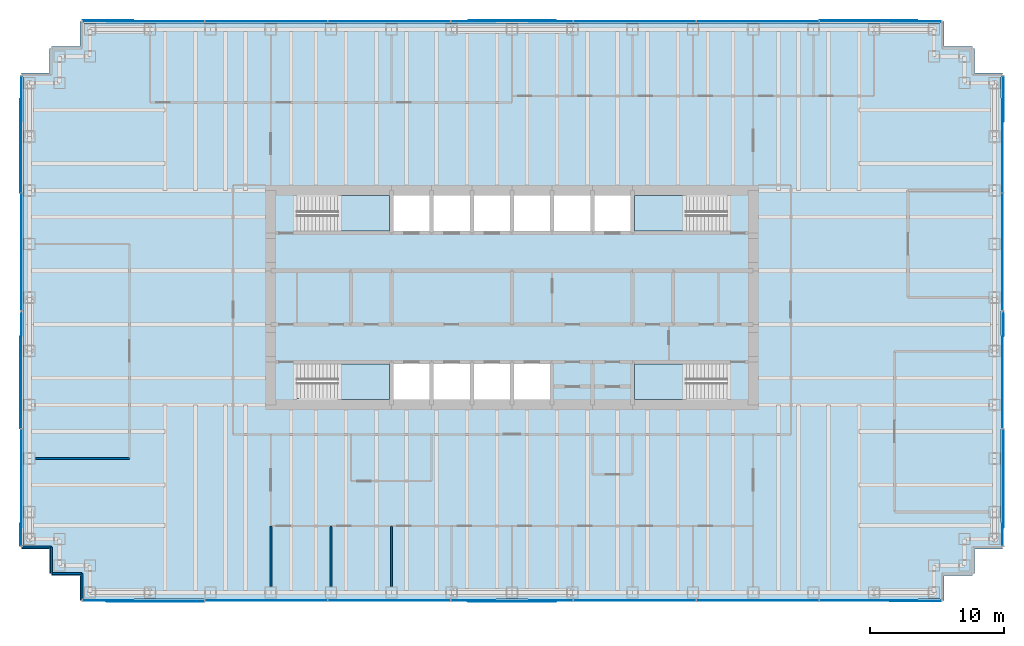
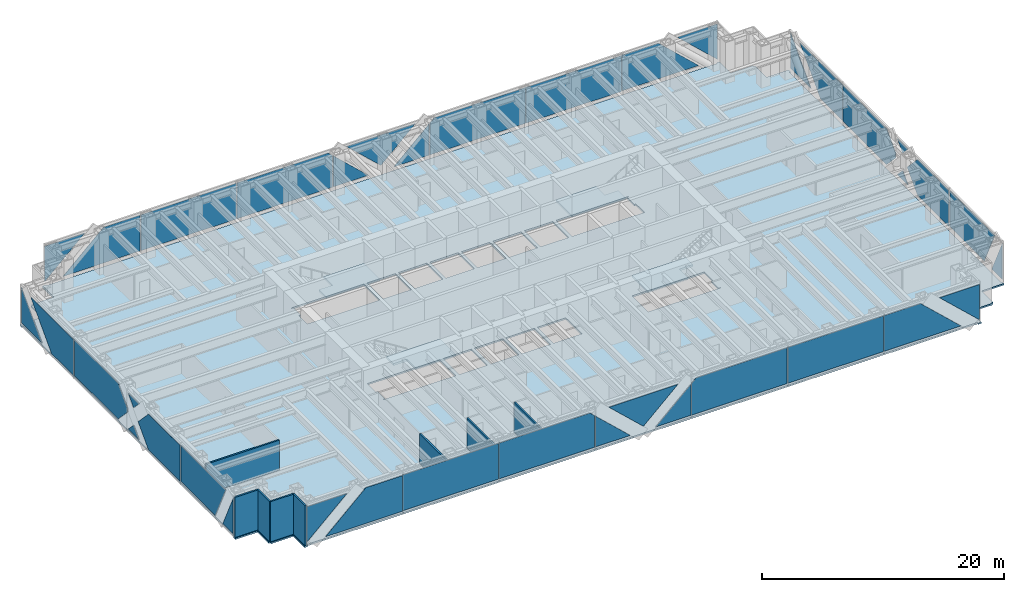
# One storey, part 9 of 15: 38 plates, 8 walls, 5 slabs, 8 elements without a shape of their own.
"""IFC4 building model written with IfcOpenShell, lengths in metres."""

import ifcopenshell
import ifcopenshell.guid

model = None  # the IFC model being written
_history = None  # IfcOwnerHistory: only IFC2X3 demands one
_inside = {}  # id of a spatial element -> (the spatial element, [elements in it])
_under = {}  # id of a project, library or spatial element -> (it, [spatial elements below it])
_declared = {}  # id of a project -> (the project, [libraries it declares])
_typed = {}  # id of a type object -> (the type object, [elements of that type])
_made_of = {}  # id of a material, layer set ... -> (it, [elements and type objects made of it])


def new_model(schema):
    """Start an empty IFC model of exactly this schema.

    Asked for "IFC4X3", IfcOpenShell would pick the latest addendum, in which some entities
    have other attributes; the version numbers below select the first issue.
    IFC2X3 requires an IfcOwnerHistory on every rooted entity: one is made here for all.
    """
    global model, _history
    if schema == "IFC4X3":
        model = ifcopenshell.file(schema_version=(4, 3, 0, 0))
    else:
        model = ifcopenshell.file(schema=schema)
    _inside.clear()
    _under.clear()
    _declared.clear()
    _typed.clear()
    _made_of.clear()
    _history = None
    if model.schema == "IFC2X3":
        org = make("IfcOrganization", Name="unknown")
        user = make(
            "IfcPersonAndOrganization",
            ThePerson=make("IfcPerson", FamilyName="unknown"),
            TheOrganization=org,
        )
        app = make(
            "IfcApplication",
            ApplicationDeveloper=org,
            Version="unknown",
            ApplicationFullName="unknown",
            ApplicationIdentifier="unknown",
        )
        _history = make(
            "IfcOwnerHistory",
            OwningUser=user,
            OwningApplication=app,
            ChangeAction="ADDED",
            CreationDate=0,
        )
    return model


def make(cls, **values):
    """One entity of the class cls with the attributes given. An attribute that is None is left unset."""
    return model.create_entity(
        cls, **{name: value for name, value in values.items() if value is not None}
    )


def rooted(cls, **values):
    """An entity with a GlobalId (a new one), such as an element, a storey or a relation."""
    return make(cls, GlobalId=ifcopenshell.guid.new(), OwnerHistory=_history, **values)


def si_unit(unit_type, name, prefix=None):
    """IfcSIUnit, for example si_unit("LENGTHUNIT", "METRE", prefix="MILLI")."""
    return make("IfcSIUnit", UnitType=unit_type, Prefix=prefix, Name=name)


def assignment(units):
    """IfcUnitAssignment: the units of a project."""
    return None if units is None else make("IfcUnitAssignment", Units=units)


def point(xyz):
    """IfcCartesianPoint."""
    return None if xyz is None else make("IfcCartesianPoint", Coordinates=xyz)


def direction(xyz):
    """IfcDirection."""
    return None if xyz is None else make("IfcDirection", DirectionRatios=xyz)


def frame(location, z_axis=None, x_axis=None):
    """IfcAxis2Placement3D, a coordinate frame: its origin and axes. An axis left out is left unset."""
    return make(
        "IfcAxis2Placement3D",
        Location=point(location),
        Axis=direction(z_axis),
        RefDirection=direction(x_axis),
    )


def frame_2d(location, x_axis=None):
    """IfcAxis2Placement2D, a coordinate frame in the plane: its origin and x axis."""
    return make(
        "IfcAxis2Placement2D", Location=point(location), RefDirection=direction(x_axis)
    )


def origin():
    """The frame at (0, 0, 0) with its axes left unset."""
    return frame((0.0, 0.0, 0.0))


def origin_2d():
    """The frame at (0, 0) in the plane with its x axis left unset."""
    return frame_2d((0.0, 0.0))


def place(relative_to, where):
    """IfcLocalPlacement: puts the frame where relative to a parent placement (None: the world)."""
    return make(
        "IfcLocalPlacement", PlacementRelTo=relative_to, RelativePlacement=where
    )


def context(
    kind, dimensions, precision=None, world=None, true_north=None, identifier=None
):
    """IfcGeometricRepresentationContext, for example the 3D "Model" context."""
    return make(
        "IfcGeometricRepresentationContext",
        ContextIdentifier=identifier,
        ContextType=kind,
        CoordinateSpaceDimension=dimensions,
        Precision=precision,
        WorldCoordinateSystem=world,
        TrueNorth=true_north,
    )


def subcontext(parent, identifier, kind, view, scale=None):
    """IfcGeometricRepresentationSubContext, for example "Body" below "Model"."""
    return make(
        "IfcGeometricRepresentationSubContext",
        ContextIdentifier=identifier,
        ContextType=kind,
        ParentContext=parent,
        TargetScale=scale,
        TargetView=view,
    )


def project(units=None, contexts=None):
    """IfcProject with its units and contexts."""
    return rooted(
        "IfcProject",
        Name="project",
        RepresentationContexts=contexts,
        UnitsInContext=assignment(units),
    )


def spatial(cls, under=None, at=None, **own):
    """A site, building, storey or space (cls), placed at a placement, below another one or the project."""
    s = rooted(cls, ObjectPlacement=at, **own)
    if under is not None:
        _under.setdefault(under.id(), (under, []))[1].append(s)
    return s


def polyline(points):
    """IfcPolyline through the points."""
    return make("IfcPolyline", Points=[point(p) for p in points])


def profile(cls, at=None, kind="AREA", **sizes):
    """A parametric profile (cls). Its sizes go by their IFC names, for example OverallWidth=200.0."""
    return make(cls, ProfileType=kind, Position=at, **sizes)


def rectangle(**sizes):
    """IfcRectangleProfileDef."""
    return profile("IfcRectangleProfileDef", **sizes)


def outline(outer, holes=None, kind="AREA"):
    """IfcArbitraryClosedProfileDef: a profile drawn as a closed curve; with holes, ...WithVoids."""
    if holes is None:
        return make("IfcArbitraryClosedProfileDef", ProfileType=kind, OuterCurve=outer)
    return make(
        "IfcArbitraryProfileDefWithVoids",
        ProfileType=kind,
        OuterCurve=outer,
        InnerCurves=holes,
    )


def extrude(swept, where, along, depth):
    """IfcExtrudedAreaSolid: the profile swept, set in the frame where, extruded along a direction by depth."""
    return make(
        "IfcExtrudedAreaSolid",
        SweptArea=swept,
        Position=where,
        ExtrudedDirection=direction(along),
        Depth=depth,
    )


def shape(context_of_items, identifier, shape_type, items):
    """IfcShapeRepresentation: the items that make up one representation, for example the "Body"."""
    return make(
        "IfcShapeRepresentation",
        ContextOfItems=context_of_items,
        RepresentationIdentifier=identifier,
        RepresentationType=shape_type,
        Items=items,
    )


def material(Name=None, Category=None):
    """IfcMaterial."""
    return make("IfcMaterial", Name=Name, Category=Category)


def layer(
    of_material, thickness, ventilated=None, Name=None, Category=None, Priority=None
):
    """IfcMaterialLayer: one layer of a wall or slab, of a material (None: an air gap)."""
    return make(
        "IfcMaterialLayer",
        Material=of_material,
        LayerThickness=thickness,
        IsVentilated=ventilated,
        Name=Name,
        Category=Category,
        Priority=Priority,
    )


def layer_set(layers, Name=None):
    """IfcMaterialLayerSet."""
    return make("IfcMaterialLayerSet", MaterialLayers=layers, LayerSetName=Name)


def made_of(thing, what):
    """Note that an element or type object is made of a material, layer set ...; save() writes the relation."""
    if what is not None:
        _made_of.setdefault(what.id(), (what, []))[1].append(thing)
    return thing


def type_object(cls, material=None, **own):
    """A type object (cls), such as IfcWallType, which elements share."""
    return made_of(rooted(cls, **own), material)


def element(
    cls,
    number,
    at=None,
    inside=None,
    cuts=None,
    type_object=None,
    material=None,
    context=None,
    identifier="Body",
    shape_type=None,
    held_by="IfcProductDefinitionShape",
    body=None,
    shapes=None,
    **own,
):
    """One element of the class cls, such as IfcWall. Its Tag is "e" and its number.

    at: its placement. inside: the storey or other place that contains it. cuts: it is an
    opening in that element (IfcRelVoidsElement). A single representation is given by context,
    identifier, shape_type and body (its items); several are given by shapes. held_by: the class
    of the entity that holds the representations. save() writes the other relations.
    """
    e = rooted(cls, Tag="e%d" % number, ObjectPlacement=at, **own)
    if body is not None:
        shapes = [shape(context, identifier, shape_type, body)]
    if shapes is not None:
        e.Representation = make(held_by, Representations=shapes)
    if inside is not None:
        _inside.setdefault(inside.id(), (inside, []))[1].append(e)
    if cuts is not None:
        rooted(
            "IfcRelVoidsElement", RelatingBuildingElement=cuts, RelatedOpeningElement=e
        )
    if type_object is not None:
        _typed.setdefault(type_object.id(), (type_object, []))[1].append(e)
    return made_of(e, material)


def aggregate(whole, parts):
    """IfcRelAggregates: a whole, such as a stair, and the parts it consists of."""
    return rooted("IfcRelAggregates", RelatingObject=whole, RelatedObjects=parts)


def save(model, path):
    """Write the relations noted so far, then the file.

    IfcRelAggregates (storeys below a building ...), IfcRelContainedInSpatialStructure (elements
    in a storey), IfcRelDefinesByType, IfcRelAssociatesMaterial and IfcRelDeclares: one each for
    every whole, place, type object, material and project.
    """
    for whole, parts in _under.values():
        aggregate(whole, parts)
    for where, things in _inside.values():
        rooted(
            "IfcRelContainedInSpatialStructure",
            RelatedElements=things,
            RelatingStructure=where,
        )
    for kind, things in _typed.values():
        rooted("IfcRelDefinesByType", RelatedObjects=things, RelatingType=kind)
    for what, things in _made_of.values():
        rooted("IfcRelAssociatesMaterial", RelatedObjects=things, RelatingMaterial=what)
    for by, libraries in _declared.values():
        rooted("IfcRelDeclares", RelatingContext=by, RelatedDefinitions=libraries)
    model.write(path)


model = new_model("IFC4")

# Units and contexts
model_context = context("Model", 3, precision=1e-05, world=origin(), true_north=direction((0.0, 1.0)))
body_context = subcontext(model_context, "Body", "Model", "MODEL_VIEW")
ifc_project = project(units=[si_unit("LENGTHUNIT", "METRE"), si_unit("AREAUNIT", "SQUARE_METRE"), si_unit("VOLUMEUNIT", "CUBIC_METRE"), si_unit("PLANEANGLEUNIT", "RADIAN"), si_unit("MASSUNIT", "GRAM", prefix="KILO")], contexts=[model_context])

# Site, building, storey
site_placement = place(None, origin())
site = spatial("IfcSite", under=ifc_project, at=site_placement, CompositionType="ELEMENT")
building_placement = place(site_placement, origin())
building = spatial("IfcBuilding", under=site, at=building_placement, Name="Rheinbord Bourse Tower", CompositionType="ELEMENT")
storey_placement = place(building_placement, frame((0.0, 0.0, 215.199951171875)))
storey = spatial("IfcBuildingStorey", under=building, at=storey_placement, Name="L48", CompositionType="ELEMENT", Elevation=215.199951171875)

# Slab
ifc_material_1 = material(Name="Concrete C30/37", Category="concrete")
ifc_layer_1 = layer(ifc_material_1, 0.159912109375)
ifc_layer_set_1 = layer_set([ifc_layer_1], Name="COMPOSITE FLOOR SLAB 160")
slab_type_1 = type_object("IfcSlabType", Name="COMPOSITE FLOOR SLAB 160", PredefinedType="FLOOR", material=ifc_layer_set_1)
slab_1_placement = place(storey_placement, frame((0.0, 0.0, -0.159912109375)))
element("IfcSlab", 1, at=slab_1_placement, inside=storey, type_object=slab_type_1, Name="Floor slab L48", PredefinedType="FLOOR", context=body_context, shape_type="SweptSolid", body=[
    extrude(outline(polyline([(1.64990234375, 3.39990234375), (1.5, 3.39990234375), (1.5, 5.25), (-0.60009765625, 5.25), (-0.60009765625, 5.550048828125), (-0.5, 5.550048828125), (-0.5, 40.449951171875), (-0.60009765625, 40.449951171875), (-0.60009765625, 40.75), (1.5, 40.75), (1.5, 42.60009765625), (1.64990234375, 42.60009765625), (1.64990234375, 42.75), (3.75, 42.75), (3.75, 44.60009765625), (4.050048828125, 44.60009765625), (4.050048828125, 44.5), (67.949951171875, 44.5), (67.949951171875, 44.60009765625), (68.25, 44.60009765625), (68.25, 42.75), (70.35009765625, 42.75), (70.35009765625, 42.60009765625), (70.5, 42.60009765625), (70.5, 40.75), (72.60009765625, 40.75), (72.60009765625, 40.449951171875), (72.5, 40.449951171875), (72.5, 5.550048828125), (72.60009765625, 5.550048828125), (72.60009765625, 5.25), (70.5, 5.25), (70.5, 3.39990234375), (70.35009765625, 3.39990234375), (70.35009765625, 3.25), (68.25, 3.25), (68.25, 1.39990234375), (67.949951171875, 1.39990234375), (67.949951171875, 1.5), (4.050048828125, 1.5), (4.050048828125, 1.39990234375), (3.75, 1.39990234375), (3.75, 3.25), (1.64990234375, 3.25), (1.64990234375, 3.39990234375)]), holes=[polyline([(19.949951171875, 19.050048828125), (26.85009765625, 19.050048828125), (26.85009765625, 16.39990234375), (19.949951171875, 16.39990234375), (19.949951171875, 16.449951171875), (20.10009765625, 16.449951171875), (20.10009765625, 17.64990234375), (19.949951171875, 17.64990234375), (19.949951171875, 19.050048828125)]), polyline([(19.949951171875, 31.60009765625), (26.85009765625, 31.60009765625), (26.85009765625, 28.949951171875), (19.949951171875, 28.949951171875), (19.949951171875, 30.35009765625), (20.10009765625, 30.35009765625), (20.10009765625, 31.550048828125), (19.949951171875, 31.550048828125), (19.949951171875, 31.60009765625)]), polyline([(52.050048828125, 16.39990234375), (45.14990234375, 16.39990234375), (45.14990234375, 19.050048828125), (52.050048828125, 19.050048828125), (52.050048828125, 17.64990234375), (51.89990234375, 17.64990234375), (51.89990234375, 16.449951171875), (52.050048828125, 16.449951171875), (52.050048828125, 16.39990234375)]), polyline([(52.050048828125, 28.949951171875), (45.14990234375, 28.949951171875), (45.14990234375, 31.60009765625), (52.050048828125, 31.60009765625), (52.050048828125, 31.550048828125), (51.89990234375, 31.550048828125), (51.89990234375, 30.35009765625), (52.050048828125, 30.35009765625), (52.050048828125, 28.949951171875)]), polyline([(27.14990234375, 16.39990234375), (27.14990234375, 19.050048828125), (29.85009765625, 19.050048828125), (29.85009765625, 16.39990234375), (27.14990234375, 16.39990234375)]), polyline([(27.14990234375, 28.949951171875), (27.14990234375, 31.60009765625), (29.85009765625, 31.60009765625), (29.85009765625, 28.949951171875), (27.14990234375, 28.949951171875)]), polyline([(30.14990234375, 16.39990234375), (30.14990234375, 19.050048828125), (32.85009765625, 19.050048828125), (32.85009765625, 16.39990234375), (30.14990234375, 16.39990234375)]), polyline([(30.14990234375, 28.949951171875), (30.14990234375, 31.60009765625), (32.85009765625, 31.60009765625), (32.85009765625, 28.949951171875), (30.14990234375, 28.949951171875)]), polyline([(33.14990234375, 16.39990234375), (33.14990234375, 19.050048828125), (35.85009765625, 19.050048828125), (35.85009765625, 16.39990234375), (33.14990234375, 16.39990234375)]), polyline([(33.14990234375, 28.949951171875), (33.14990234375, 31.60009765625), (35.85009765625, 31.60009765625), (35.85009765625, 28.949951171875), (33.14990234375, 28.949951171875)]), polyline([(36.14990234375, 16.39990234375), (36.14990234375, 19.050048828125), (38.85009765625, 19.050048828125), (38.85009765625, 16.39990234375), (36.14990234375, 16.39990234375)]), polyline([(36.14990234375, 28.949951171875), (36.14990234375, 31.60009765625), (38.85009765625, 31.60009765625), (38.85009765625, 28.949951171875), (36.14990234375, 28.949951171875)]), polyline([(39.14990234375, 28.949951171875), (39.14990234375, 31.60009765625), (41.85009765625, 31.60009765625), (41.85009765625, 28.949951171875), (39.14990234375, 28.949951171875)]), polyline([(42.14990234375, 28.949951171875), (42.14990234375, 31.60009765625), (44.85009765625, 31.60009765625), (44.85009765625, 28.949951171875), (42.14990234375, 28.949951171875)])]), origin(), (0.0, 0.0, 1.0), 0.159912109375),
])

# Curtain wall, plates
ifc_material_2 = material(Name="Dark glass and black aluminium", Category="aluminium")
curtain_wall_type = type_object("IfcCurtainWallType", Name="CW2 DARK GLASS CURTAIN WALL", PredefinedType="USERDEFINED", material=ifc_material_2)
curtain_wall_1_placement = place(storey_placement, origin())
curtain_wall_1 = element("IfcCurtainWall", 2, at=curtain_wall_1_placement, inside=storey, type_object=curtain_wall_type, Name="Curtain wall CW2 S L48", ObjectType="UNITISED CURTAIN WALL", PredefinedType="USERDEFINED")
ifc_material_3 = material(Name="Dark tinted triple insulating glass", Category="glass")
ifc_layer_2 = layer(ifc_material_3, 0.050048828125)
ifc_layer_set_2 = layer_set([ifc_layer_2], Name="CW2 DARK GLASS PANEL")
plate_type = type_object("IfcPlateType", Name="CW2 DARK GLASS PANEL", PredefinedType="CURTAIN_PANEL", material=ifc_layer_set_2)
plate_1_placement = place(storey_placement, frame((17.6572265625, 1.39990234375, 0.300048828125), z_axis=(0.0, 0.0, 1.0), x_axis=(1.0, 0.0, 0.0)))
plate_1 = element("IfcPlate", 3, at=plate_1_placement, type_object=plate_type, Name="CW2 panel 2.1", PredefinedType="CURTAIN_PANEL", context=body_context, shape_type="SweptSolid", body=[
    extrude(rectangle(XDim=9.101318359375, YDim=0.050048828125, at=origin_2d()), origin(), (0.0, 0.0, 1.0), 3.60009765625),
])
plate_2_placement = place(storey_placement, frame((54.3427734375, 1.39990234375, 0.300048828125), z_axis=(0.0, 0.0, 1.0), x_axis=(1.0, 0.0, 0.0)))
plate_2 = element("IfcPlate", 4, at=plate_2_placement, type_object=plate_type, Name="CW2 panel 6.1", PredefinedType="CURTAIN_PANEL", context=body_context, shape_type="SweptSolid", body=[
    extrude(rectangle(XDim=9.101318359375, YDim=0.050048828125, at=origin_2d()), origin(), (0.0, 0.0, 1.0), 3.60009765625),
])
plate_3_placement = place(storey_placement, frame((3.969970703125, 1.375, 3.900146484375), z_axis=(0.0, 1.0, 0.0), x_axis=(1.0, 0.0, 0.0)))
plate_3 = element("IfcPlate", 5, at=plate_3_placement, type_object=plate_type, Name="CW2 glass facet 1", PredefinedType="CURTAIN_PANEL", context=body_context, shape_type="SweptSolid", body=[
    extrude(outline(polyline([(0.0, 0.0), (3.822021484375, 0.0), (0.0, 3.567138671875), (0.0, 0.0)])), origin(), (0.0, 0.0, 1.0), 0.050048828125),
])
plate_4_placement = place(storey_placement, frame((13.035888671875, 1.31982421875, 3.900146484375), z_axis=(0.0, 1.0, 0.0), x_axis=(0.0, 0.0, -1.0)))
plate_4 = element("IfcPlate", 6, at=plate_4_placement, type_object=plate_type, Name="CW2 glass facet 2", PredefinedType="CURTAIN_PANEL", context=body_context, shape_type="SweptSolid", body=[
    extrude(outline(polyline([(0.0, 0.0), (3.60009765625, 0.0), (3.60009765625, 7.327880859375), (0.0, 3.470947265625), (0.0, 0.0)])), origin(), (0.0, 0.0, 1.0), 0.050048828125),
])
plate_5_placement = place(storey_placement, frame((31.37890625, 1.375, 0.300048828125), z_axis=(0.0, 1.0, 0.0), x_axis=(-1.0, 0.0, 0.0)))
plate_5 = element("IfcPlate", 7, at=plate_5_placement, type_object=plate_type, Name="CW2 glass facet 1", PredefinedType="CURTAIN_PANEL", context=body_context, shape_type="SweptSolid", body=[
    extrude(outline(polyline([(0.0, 0.0), (9.100830078125, 0.0), (9.100830078125, 3.60009765625), (0.44384765625, 3.60009765625), (0.0, 3.18505859375), (0.0, 0.0)])), origin(), (0.0, 0.0, 1.0), 0.050048828125),
])
plate_6_placement = place(storey_placement, frame((31.448974609375, 1.375, 0.300048828125), z_axis=(0.0, 1.0, 0.0), x_axis=(0.0, 0.0, 1.0)))
plate_6 = element("IfcPlate", 8, at=plate_6_placement, type_object=plate_type, Name="CW2 glass facet 1", PredefinedType="CURTAIN_PANEL", context=body_context, shape_type="SweptSolid", body=[
    extrude(outline(polyline([(0.0, 0.0), (3.1201171875, 0.0), (0.0, 3.343017578125), (0.0, 0.0)])), origin(), (0.0, 0.0, 1.0), 0.050048828125),
])
plate_7_placement = place(storey_placement, frame((39.2919921875, 1.31982421875, 3.900146484375), z_axis=(0.0, 1.0, 0.0), x_axis=(-0.731111160705, 0.0, -0.682258360661)))
plate_7 = element("IfcPlate", 9, at=plate_7_placement, type_object=plate_type, Name="CW2 glass facet 2", PredefinedType="CURTAIN_PANEL", context=body_context, shape_type="SweptSolid", body=[
    extrude(outline(polyline([(0.0, 0.0), (4.502685546875, 0.0), (4.813720703125, 4.491943359375), (0.0, 0.0)])), origin(), (0.0, 0.0, 1.0), 0.050048828125),
])
plate_8_placement = place(storey_placement, frame((40.551025390625, 1.375, 0.300048828125), z_axis=(0.0, 1.0, 0.0), x_axis=(-1.0, 0.0, 0.0)))
plate_8 = element("IfcPlate", 10, at=plate_8_placement, type_object=plate_type, Name="CW2 glass facet 3", PredefinedType="CURTAIN_PANEL", context=body_context, shape_type="SweptSolid", body=[
    extrude(outline(polyline([(0.0, 0.0), (3.343017578125, 0.0), (0.0, 3.1201171875), (0.0, 0.0)])), origin(), (0.0, 0.0, 1.0), 0.050048828125),
])
plate_9_placement = place(storey_placement, frame((49.721923828125, 1.375, 3.900146484375), z_axis=(0.0, 1.0, 0.0), x_axis=(0.0, 0.0, -1.0)))
plate_9 = element("IfcPlate", 11, at=plate_9_placement, type_object=plate_type, Name="CW2 glass facet 1", PredefinedType="CURTAIN_PANEL", context=body_context, shape_type="SweptSolid", body=[
    extrude(outline(polyline([(0.0, 0.0), (3.60009765625, 0.0), (3.60009765625, 9.100830078125), (0.4150390625, 9.100830078125), (0.0, 8.656982421875), (0.0, 0.0)])), origin(), (0.0, 0.0, 1.0), 0.050048828125),
])
plate_10_placement = place(storey_placement, frame((58.964111328125, 1.375, 0.300048828125), z_axis=(0.0, 1.0, 0.0), x_axis=(0.0, 0.0, 1.0)))
plate_10 = element("IfcPlate", 12, at=plate_10_placement, type_object=plate_type, Name="CW2 glass facet 1", PredefinedType="CURTAIN_PANEL", context=body_context, shape_type="SweptSolid", body=[
    extrude(outline(polyline([(0.0, 0.0), (3.60009765625, 0.0), (3.60009765625, 3.470947265625), (0.0, 7.327880859375), (0.0, 0.0)])), origin(), (0.0, 0.0, 1.0), 0.050048828125),
])
plate_11_placement = place(storey_placement, frame((68.030029296875, 1.31982421875, 3.900146484375), z_axis=(0.0, 1.0, 0.0), x_axis=(0.0, 0.0, -1.0)))
plate_11 = element("IfcPlate", 13, at=plate_11_placement, type_object=plate_type, Name="CW2 glass facet 2", PredefinedType="CURTAIN_PANEL", context=body_context, shape_type="SweptSolid", body=[
    extrude(outline(polyline([(0.0, 0.0), (3.567138671875, 0.0), (0.0, 3.822021484375), (0.0, 0.0)])), origin(), (0.0, 0.0, 1.0), 0.050048828125),
])
aggregate(curtain_wall_1, [plate_1, plate_2, plate_3, plate_4, plate_5, plate_6, plate_7, plate_8, plate_9, plate_10, plate_11])

curtain_wall_2_placement = place(storey_placement, origin())
curtain_wall_2 = element("IfcCurtainWall", 14, at=curtain_wall_2_placement, inside=storey, type_object=curtain_wall_type, Name="Curtain wall CW2 E L48", ObjectType="UNITISED CURTAIN WALL", PredefinedType="USERDEFINED")
plate_12_placement = place(storey_placement, frame((72.625, 5.469970703125, 0.300048828125), z_axis=(-1.0, 0.0, 0.0), x_axis=(0.0, 0.0, 1.0)))
plate_12 = element("IfcPlate", 15, at=plate_12_placement, type_object=plate_type, Name="CW2 glass facet 1", PredefinedType="CURTAIN_PANEL", context=body_context, shape_type="SweptSolid", body=[
    extrude(outline(polyline([(0.0, 0.0), (3.60009765625, 0.0), (3.60009765625, 0.0029296875), (0.0, 1.717041015625), (0.0, 0.0)])), origin(), (0.0, 0.0, 1.0), 0.050048828125),
])
plate_13_placement = place(storey_placement, frame((72.68017578125, 14.1650390625, 3.900146484375), z_axis=(-1.0, 0.0, 0.0), x_axis=(0.0, 0.0, -1.0)))
plate_13 = element("IfcPlate", 16, at=plate_13_placement, type_object=plate_type, Name="CW2 glass facet 2", PredefinedType="CURTAIN_PANEL", context=body_context, shape_type="SweptSolid", body=[
    extrude(outline(polyline([(0.0, 0.0), (3.60009765625, 0.0), (3.60009765625, 5.637939453125), (0.0, 7.35205078125), (0.0, 0.0)])), origin(), (0.0, 0.0, 1.0), 0.050048828125),
])
plate_14_placement = place(storey_placement, frame((72.625, 14.235107421875, 0.300048828125), z_axis=(-1.0, 0.0, 0.0), x_axis=(0.0, 0.0, 1.0)))
plate_14 = element("IfcPlate", 17, at=plate_14_placement, type_object=plate_type, Name="CW2 glass facet 1", PredefinedType="CURTAIN_PANEL", context=body_context, shape_type="SweptSolid", body=[
    extrude(outline(polyline([(0.0, 0.0), (3.60009765625, 0.0), (3.60009765625, 5.21484375), (1.800048828125, 6.929931640625), (0.0, 5.21484375), (0.0, 0.0)])), origin(), (0.0, 0.0, 1.0), 0.050048828125),
])
plate_15_placement = place(storey_placement, frame((72.68017578125, 21.12109375, 0.300048828125), z_axis=(-1.0, 0.0, 0.0), x_axis=(0.0, 0.689559508121, 0.724229027835)))
plate_15 = element("IfcPlate", 18, at=plate_15_placement, type_object=plate_type, Name="CW2 glass facet 2", PredefinedType="CURTAIN_PANEL", context=body_context, shape_type="SweptSolid", body=[
    extrude(outline(polyline([(0.0, 0.0), (1.274658203125, 0.0), (1.212158203125, 1.27294921875), (0.0, 0.0)])), origin(), (0.0, 0.0, 1.0), 0.050048828125),
])
plate_16_placement = place(storey_placement, frame((72.68017578125, 22.87890625, 3.900146484375), z_axis=(-1.0, 0.0, 0.0), x_axis=(0.0, -0.689559508121, -0.724229027835)))
plate_16 = element("IfcPlate", 19, at=plate_16_placement, type_object=plate_type, Name="CW2 glass facet 3", PredefinedType="CURTAIN_PANEL", context=body_context, shape_type="SweptSolid", body=[
    extrude(outline(polyline([(0.0, 0.0), (1.274658203125, 0.0), (1.212158203125, 1.27294921875), (0.0, 0.0)])), origin(), (0.0, 0.0, 1.0), 0.050048828125),
])
plate_17_placement = place(storey_placement, frame((72.625, 31.764892578125, 3.900146484375), z_axis=(-1.0, 0.0, 0.0), x_axis=(0.0, 0.0, -1.0)))
plate_17 = element("IfcPlate", 20, at=plate_17_placement, type_object=plate_type, Name="CW2 glass facet 1", PredefinedType="CURTAIN_PANEL", context=body_context, shape_type="SweptSolid", body=[
    extrude(outline(polyline([(0.0, 0.0), (3.60009765625, 0.0), (3.60009765625, 7.21484375), (2.009033203125, 8.72998046875), (1.590087890625, 8.72998046875), (0.0, 7.21484375), (0.0, 0.0)])), origin(), (0.0, 0.0, 1.0), 0.050048828125),
])
plate_18_placement = place(storey_placement, frame((72.625, 31.8349609375, 0.300048828125), z_axis=(-1.0, 0.0, 0.0), x_axis=(0.0, 0.0, 1.0)))
plate_18 = element("IfcPlate", 21, at=plate_18_placement, type_object=plate_type, Name="CW2 glass facet 1", PredefinedType="CURTAIN_PANEL", context=body_context, shape_type="SweptSolid", body=[
    extrude(outline(polyline([(0.0, 0.0), (3.60009765625, 0.0), (3.60009765625, 7.0439453125), (0.0, 3.614990234375), (0.0, 0.0)])), origin(), (0.0, 0.0, 1.0), 0.050048828125),
])
plate_19_placement = place(storey_placement, frame((72.68017578125, 40.530029296875, 0.300048828125), z_axis=(-1.0, 0.0, 0.0), x_axis=(0.0, -1.0, 0.0)))
plate_19 = element("IfcPlate", 22, at=plate_19_placement, type_object=plate_type, Name="CW2 glass facet 2", PredefinedType="CURTAIN_PANEL", context=body_context, shape_type="SweptSolid", body=[
    extrude(outline(polyline([(0.0, 0.0), (3.408935546875, 0.0), (0.0, 3.5791015625), (0.0, 0.0)])), origin(), (0.0, 0.0, 1.0), 0.050048828125),
])
aggregate(curtain_wall_2, [plate_12, plate_13, plate_14, plate_15, plate_16, plate_17, plate_18, plate_19])

curtain_wall_3_placement = place(storey_placement, origin())
curtain_wall_3 = element("IfcCurtainWall", 23, at=curtain_wall_3_placement, inside=storey, type_object=curtain_wall_type, Name="Curtain wall CW2 N L48", ObjectType="UNITISED CURTAIN WALL", PredefinedType="USERDEFINED")
plate_20_placement = place(storey_placement, frame((54.3427734375, 44.60009765625, 0.300048828125), z_axis=(0.0, 0.0, 1.0), x_axis=(-1.0, 0.0, 0.0)))
plate_20 = element("IfcPlate", 24, at=plate_20_placement, type_object=plate_type, Name="CW2 panel 2.1", PredefinedType="CURTAIN_PANEL", context=body_context, shape_type="SweptSolid", body=[
    extrude(rectangle(XDim=9.101318359375, YDim=0.050048828125, at=origin_2d()), origin(), (0.0, 0.0, 1.0), 3.60009765625),
])
plate_21_placement = place(storey_placement, frame((17.6572265625, 44.60009765625, 0.300048828125), z_axis=(0.0, 0.0, 1.0), x_axis=(-1.0, 0.0, 0.0)))
plate_21 = element("IfcPlate", 25, at=plate_21_placement, type_object=plate_type, Name="CW2 panel 6.1", PredefinedType="CURTAIN_PANEL", context=body_context, shape_type="SweptSolid", body=[
    extrude(rectangle(XDim=9.101318359375, YDim=0.050048828125, at=origin_2d()), origin(), (0.0, 0.0, 1.0), 3.60009765625),
])
plate_22_placement = place(storey_placement, frame((68.030029296875, 44.625, 3.900146484375), z_axis=(0.0, -1.0, 0.0), x_axis=(-1.0, 0.0, 0.0)))
plate_22 = element("IfcPlate", 26, at=plate_22_placement, type_object=plate_type, Name="CW2 glass facet 1", PredefinedType="CURTAIN_PANEL", context=body_context, shape_type="SweptSolid", body=[
    extrude(outline(polyline([(0.0, 0.0), (3.822021484375, 0.0), (0.0, 3.567138671875), (0.0, 0.0)])), origin(), (0.0, 0.0, 1.0), 0.050048828125),
])
plate_23_placement = place(storey_placement, frame((58.964111328125, 44.68017578125, 3.900146484375), z_axis=(0.0, -1.0, 0.0), x_axis=(0.0, 0.0, -1.0)))
plate_23 = element("IfcPlate", 27, at=plate_23_placement, type_object=plate_type, Name="CW2 glass facet 2", PredefinedType="CURTAIN_PANEL", context=body_context, shape_type="SweptSolid", body=[
    extrude(outline(polyline([(0.0, 0.0), (3.60009765625, 0.0), (3.60009765625, 7.327880859375), (0.0, 3.470947265625), (0.0, 0.0)])), origin(), (0.0, 0.0, 1.0), 0.050048828125),
])
plate_24_placement = place(storey_placement, frame((40.62109375, 44.625, 0.300048828125), z_axis=(0.0, -1.0, 0.0), x_axis=(1.0, 0.0, 0.0)))
plate_24 = element("IfcPlate", 28, at=plate_24_placement, type_object=plate_type, Name="CW2 glass facet 1", PredefinedType="CURTAIN_PANEL", context=body_context, shape_type="SweptSolid", body=[
    extrude(outline(polyline([(0.0, 0.0), (9.100830078125, 0.0), (9.100830078125, 3.60009765625), (0.44384765625, 3.60009765625), (0.0, 3.18505859375), (0.0, 0.0)])), origin(), (0.0, 0.0, 1.0), 0.050048828125),
])
plate_25_placement = place(storey_placement, frame((40.551025390625, 44.625, 0.300048828125), z_axis=(0.0, -1.0, 0.0), x_axis=(0.0, 0.0, 1.0)))
plate_25 = element("IfcPlate", 29, at=plate_25_placement, type_object=plate_type, Name="CW2 glass facet 1", PredefinedType="CURTAIN_PANEL", context=body_context, shape_type="SweptSolid", body=[
    extrude(outline(polyline([(0.0, 0.0), (3.1201171875, 0.0), (0.0, 3.343017578125), (0.0, 0.0)])), origin(), (0.0, 0.0, 1.0), 0.050048828125),
])
plate_26_placement = place(storey_placement, frame((32.7080078125, 44.68017578125, 3.900146484375), z_axis=(0.0, -1.0, 0.0), x_axis=(0.731111160705, 0.0, -0.682258360661)))
plate_26 = element("IfcPlate", 30, at=plate_26_placement, type_object=plate_type, Name="CW2 glass facet 2", PredefinedType="CURTAIN_PANEL", context=body_context, shape_type="SweptSolid", body=[
    extrude(outline(polyline([(0.0, 0.0), (4.502685546875, 0.0), (4.813720703125, 4.491943359375), (0.0, 0.0)])), origin(), (0.0, 0.0, 1.0), 0.050048828125),
])
plate_27_placement = place(storey_placement, frame((31.448974609375, 44.625, 0.300048828125), z_axis=(0.0, -1.0, 0.0), x_axis=(1.0, 0.0, 0.0)))
plate_27 = element("IfcPlate", 31, at=plate_27_placement, type_object=plate_type, Name="CW2 glass facet 3", PredefinedType="CURTAIN_PANEL", context=body_context, shape_type="SweptSolid", body=[
    extrude(outline(polyline([(0.0, 0.0), (3.343017578125, 0.0), (0.0, 3.1201171875), (0.0, 0.0)])), origin(), (0.0, 0.0, 1.0), 0.050048828125),
])
plate_28_placement = place(storey_placement, frame((22.278076171875, 44.625, 3.900146484375), z_axis=(0.0, -1.0, 0.0), x_axis=(0.0, 0.0, -1.0)))
plate_28 = element("IfcPlate", 32, at=plate_28_placement, type_object=plate_type, Name="CW2 glass facet 1", PredefinedType="CURTAIN_PANEL", context=body_context, shape_type="SweptSolid", body=[
    extrude(outline(polyline([(0.0, 0.0), (3.60009765625, 0.0), (3.60009765625, 9.100830078125), (0.4150390625, 9.100830078125), (0.0, 8.656982421875), (0.0, 0.0)])), origin(), (0.0, 0.0, 1.0), 0.050048828125),
])
plate_29_placement = place(storey_placement, frame((13.035888671875, 44.625, 0.300048828125), z_axis=(0.0, -1.0, 0.0), x_axis=(0.0, 0.0, 1.0)))
plate_29 = element("IfcPlate", 33, at=plate_29_placement, type_object=plate_type, Name="CW2 glass facet 1", PredefinedType="CURTAIN_PANEL", context=body_context, shape_type="SweptSolid", body=[
    extrude(outline(polyline([(0.0, 0.0), (3.60009765625, 0.0), (3.60009765625, 3.470947265625), (0.0, 7.327880859375), (0.0, 0.0)])), origin(), (0.0, 0.0, 1.0), 0.050048828125),
])
plate_30_placement = place(storey_placement, frame((3.969970703125, 44.68017578125, 3.900146484375), z_axis=(0.0, -1.0, 0.0), x_axis=(0.0, 0.0, -1.0)))
plate_30 = element("IfcPlate", 34, at=plate_30_placement, type_object=plate_type, Name="CW2 glass facet 2", PredefinedType="CURTAIN_PANEL", context=body_context, shape_type="SweptSolid", body=[
    extrude(outline(polyline([(0.0, 0.0), (3.567138671875, 0.0), (0.0, 3.822021484375), (0.0, 0.0)])), origin(), (0.0, 0.0, 1.0), 0.050048828125),
])
aggregate(curtain_wall_3, [plate_20, plate_21, plate_22, plate_23, plate_24, plate_25, plate_26, plate_27, plate_28, plate_29, plate_30])

curtain_wall_4_placement = place(storey_placement, origin())
curtain_wall_4 = element("IfcCurtainWall", 35, at=curtain_wall_4_placement, inside=storey, type_object=curtain_wall_type, Name="Curtain wall CW2 W L48", ObjectType="UNITISED CURTAIN WALL", PredefinedType="USERDEFINED")
plate_31_placement = place(storey_placement, frame((-0.625, 40.530029296875, 0.300048828125), z_axis=(1.0, 0.0, 0.0), x_axis=(0.0, 0.0, 1.0)))
plate_31 = element("IfcPlate", 36, at=plate_31_placement, type_object=plate_type, Name="CW2 glass facet 1", PredefinedType="CURTAIN_PANEL", context=body_context, shape_type="SweptSolid", body=[
    extrude(outline(polyline([(0.0, 0.0), (3.5791015625, 0.0), (0.0, 3.408935546875), (0.0, 0.0)])), origin(), (0.0, 0.0, 1.0), 0.050048828125),
])
plate_32_placement = place(storey_placement, frame((-0.68017578125, 31.8349609375, 3.900146484375), z_axis=(1.0, 0.0, 0.0), x_axis=(0.0, 0.0, -1.0)))
plate_32 = element("IfcPlate", 37, at=plate_32_placement, type_object=plate_type, Name="CW2 glass facet 2", PredefinedType="CURTAIN_PANEL", context=body_context, shape_type="SweptSolid", body=[
    extrude(outline(polyline([(0.0, 0.0), (3.60009765625, 0.0), (3.60009765625, 3.614990234375), (0.0, 7.0439453125), (0.0, 0.0)])), origin(), (0.0, 0.0, 1.0), 0.050048828125),
])
plate_33_placement = place(storey_placement, frame((-0.625, 31.764892578125, 0.300048828125), z_axis=(1.0, 0.0, 0.0), x_axis=(0.0, 0.0, 1.0)))
plate_33 = element("IfcPlate", 38, at=plate_33_placement, type_object=plate_type, Name="CW2 glass facet 1", PredefinedType="CURTAIN_PANEL", context=body_context, shape_type="SweptSolid", body=[
    extrude(outline(polyline([(0.0, 0.0), (3.60009765625, 0.0), (3.60009765625, 7.21484375), (2.010009765625, 8.72998046875), (1.591064453125, 8.72998046875), (0.0, 7.21484375), (0.0, 0.0)])), origin(), (0.0, 0.0, 1.0), 0.050048828125),
])
plate_34_placement = place(storey_placement, frame((-0.625, 22.87890625, 0.300048828125), z_axis=(1.0, 0.0, 0.0), x_axis=(0.0, -0.689559508121, 0.724229027835)))
plate_34 = element("IfcPlate", 39, at=plate_34_placement, type_object=plate_type, Name="CW2 glass facet 1", PredefinedType="CURTAIN_PANEL", context=body_context, shape_type="SweptSolid", body=[
    extrude(outline(polyline([(0.0, 0.0), (1.274658203125, 0.0), (1.212158203125, 1.27294921875), (0.0, 0.0)])), origin(), (0.0, 0.0, 1.0), 0.050048828125),
])
plate_35_placement = place(storey_placement, frame((-0.625, 21.12109375, 3.900146484375), z_axis=(1.0, 0.0, 0.0), x_axis=(0.0, 0.689559508121, -0.724229027835)))
plate_35 = element("IfcPlate", 40, at=plate_35_placement, type_object=plate_type, Name="CW2 glass facet 2", PredefinedType="CURTAIN_PANEL", context=body_context, shape_type="SweptSolid", body=[
    extrude(outline(polyline([(0.0, 0.0), (1.274658203125, 0.0), (1.212158203125, 1.27294921875), (0.0, 0.0)])), origin(), (0.0, 0.0, 1.0), 0.050048828125),
])
plate_36_placement = place(storey_placement, frame((-0.68017578125, 14.235107421875, 3.900146484375), z_axis=(1.0, 0.0, 0.0), x_axis=(0.0, 0.0, -1.0)))
plate_36 = element("IfcPlate", 41, at=plate_36_placement, type_object=plate_type, Name="CW2 glass facet 3", PredefinedType="CURTAIN_PANEL", context=body_context, shape_type="SweptSolid", body=[
    extrude(outline(polyline([(0.0, 0.0), (3.60009765625, 0.0), (3.60009765625, 5.21484375), (1.800048828125, 6.929931640625), (0.0, 5.21484375), (0.0, 0.0)])), origin(), (0.0, 0.0, 1.0), 0.050048828125),
])
plate_37_placement = place(storey_placement, frame((-0.625, 14.1650390625, 0.300048828125), z_axis=(1.0, 0.0, 0.0), x_axis=(0.0, 0.0, 1.0)))
plate_37 = element("IfcPlate", 42, at=plate_37_placement, type_object=plate_type, Name="CW2 glass facet 1", PredefinedType="CURTAIN_PANEL", context=body_context, shape_type="SweptSolid", body=[
    extrude(outline(polyline([(0.0, 0.0), (3.60009765625, 0.0), (3.60009765625, 7.35205078125), (0.0, 5.637939453125), (0.0, 0.0)])), origin(), (0.0, 0.0, 1.0), 0.050048828125),
])
plate_38_placement = place(storey_placement, frame((-0.68017578125, 5.469970703125, 3.900146484375), z_axis=(1.0, 0.0, 0.0), x_axis=(0.0, 0.0, -1.0)))
plate_38 = element("IfcPlate", 43, at=plate_38_placement, type_object=plate_type, Name="CW2 glass facet 2", PredefinedType="CURTAIN_PANEL", context=body_context, shape_type="SweptSolid", body=[
    extrude(outline(polyline([(0.0, 0.0), (3.60009765625, 0.0), (3.60009765625, 1.717041015625), (0.0, 0.0029296875), (0.0, 0.0)])), origin(), (0.0, 0.0, 1.0), 0.050048828125),
])
aggregate(curtain_wall_4, [plate_31, plate_32, plate_33, plate_34, plate_35, plate_36, plate_37, plate_38])

# Stair, slab
ifc_material_4 = material(Name="Concrete C30/37", Category="concrete")
stair_type = type_object("IfcStairType", Name="CORE STAIR HALF TURN 4200", PredefinedType="HALF_TURN_STAIR", material=ifc_material_4)
stair_1_placement = place(storey_placement, origin())
stair_1 = element("IfcStair", 44, at=stair_1_placement, inside=storey, type_object=stair_type, Name="Stair ST1 L48, type CS6", PredefinedType="HALF_TURN_STAIR")
ifc_material_5 = material(Name="Concrete C30/37", Category="concrete")
ifc_layer_3 = layer(ifc_material_5, 0.199951171875)
ifc_layer_set_3 = layer_set([ifc_layer_3], Name="STAIR LANDING 200")
slab_type_2 = type_object("IfcSlabType", Name="STAIR LANDING 200", PredefinedType="LANDING", material=ifc_layer_set_3)
slab_2_placement = place(storey_placement, frame((0.0, 0.0, 1.900146484375)))
slab_2 = element("IfcSlab", 45, at=slab_2_placement, type_object=slab_type_2, Name="Half landing ST1 L48", PredefinedType="LANDING", context=body_context, shape_type="SweptSolid", body=[
    extrude(outline(polyline([(23.030029296875, 16.39990234375), (26.85009765625, 16.39990234375), (26.85009765625, 19.050048828125), (21.748046875, 19.050048828125), (21.748046875, 17.85009765625), (23.030029296875, 17.85009765625), (23.030029296875, 16.39990234375)])), origin(), (0.0, 0.0, 1.0), 0.199951171875),
])
aggregate(stair_1, [slab_2])

stair_2_placement = place(storey_placement, origin())
stair_2 = element("IfcStair", 46, at=stair_2_placement, inside=storey, type_object=stair_type, Name="Stair ST2 L48, type CS6", PredefinedType="HALF_TURN_STAIR")
slab_3_placement = place(storey_placement, frame((0.0, 0.0, 1.900146484375)))
slab_3 = element("IfcSlab", 47, at=slab_3_placement, type_object=slab_type_2, Name="Half landing ST2 L48", PredefinedType="LANDING", context=body_context, shape_type="SweptSolid", body=[
    extrude(outline(polyline([(21.748046875, 28.949951171875), (26.85009765625, 28.949951171875), (26.85009765625, 31.60009765625), (23.030029296875, 31.60009765625), (23.030029296875, 30.14990234375), (21.748046875, 30.14990234375), (21.748046875, 28.949951171875)])), origin(), (0.0, 0.0, 1.0), 0.199951171875),
])
aggregate(stair_2, [slab_3])

stair_3_placement = place(storey_placement, origin())
stair_3 = element("IfcStair", 48, at=stair_3_placement, inside=storey, type_object=stair_type, Name="Stair ST3 L48, type CS6", PredefinedType="HALF_TURN_STAIR")
slab_4_placement = place(storey_placement, frame((0.0, 0.0, 1.900146484375)))
slab_4 = element("IfcSlab", 49, at=slab_4_placement, type_object=slab_type_2, Name="Half landing ST3 L48", PredefinedType="LANDING", context=body_context, shape_type="SweptSolid", body=[
    extrude(outline(polyline([(45.14990234375, 16.39990234375), (48.969970703125, 16.39990234375), (48.969970703125, 17.85009765625), (50.251953125, 17.85009765625), (50.251953125, 19.050048828125), (45.14990234375, 19.050048828125), (45.14990234375, 16.39990234375)])), origin(), (0.0, 0.0, 1.0), 0.199951171875),
])
aggregate(stair_3, [slab_4])

stair_4_placement = place(storey_placement, origin())
stair_4 = element("IfcStair", 50, at=stair_4_placement, inside=storey, type_object=stair_type, Name="Stair ST4 L48, type CS6", PredefinedType="HALF_TURN_STAIR")
slab_5_placement = place(storey_placement, frame((0.0, 0.0, 1.900146484375)))
slab_5 = element("IfcSlab", 51, at=slab_5_placement, type_object=slab_type_2, Name="Half landing ST4 L48", PredefinedType="LANDING", context=body_context, shape_type="SweptSolid", body=[
    extrude(outline(polyline([(45.14990234375, 28.949951171875), (50.251953125, 28.949951171875), (50.251953125, 30.14990234375), (48.969970703125, 30.14990234375), (48.969970703125, 31.60009765625), (45.14990234375, 31.60009765625), (45.14990234375, 28.949951171875)])), origin(), (0.0, 0.0, 1.0), 0.199951171875),
])
aggregate(stair_4, [slab_5])

# Walls
ifc_material_6 = material(Name="Black metal rainscreen panel", Category="aluminium")
ifc_layer_4 = layer(ifc_material_6, 0.14990234375)
ifc_layer_set_4 = layer_set([ifc_layer_4], Name="CORNER PIER CLADDING 150")
wall_type_1 = type_object("IfcWallType", Name="CORNER PIER CLADDING 150", PredefinedType="ELEMENTEDWALL", material=ifc_layer_set_4)
wall_1_placement = place(storey_placement, frame((-0.60009765625, 5.39990234375, 0.0), z_axis=(0.0, 0.0, 1.0), x_axis=(1.0, 0.0, 0.0)))
element("IfcWall", 52, at=wall_1_placement, inside=storey, type_object=wall_type_1, Name="Corner pier cladding L48 17", PredefinedType="ELEMENTEDWALL", context=body_context, shape_type="SweptSolid", body=[
    extrude(rectangle(XDim=2.25, YDim=0.14990234375, at=frame_2d((1.125, 0.0))), origin(), (0.0, 0.0, 1.0), 4.0400390625),
])
wall_2_placement = place(storey_placement, frame((1.64990234375, 5.39990234375, 0.0), z_axis=(0.0, 0.0, 1.0), x_axis=(0.0, -1.0, 0.0)))
element("IfcWall", 53, at=wall_2_placement, inside=storey, type_object=wall_type_1, Name="Corner pier cladding L48 18", PredefinedType="ELEMENTEDWALL", context=body_context, shape_type="SweptSolid", body=[
    extrude(rectangle(XDim=2.0, YDim=0.14990234375, at=frame_2d((1.0, 0.0))), origin(), (0.0, 0.0, 1.0), 4.0400390625),
])
wall_3_placement = place(storey_placement, frame((1.64990234375, 3.39990234375, 0.0), z_axis=(0.0, 0.0, 1.0), x_axis=(1.0, 0.0, 0.0)))
element("IfcWall", 54, at=wall_3_placement, inside=storey, type_object=wall_type_1, Name="Corner pier cladding L48 19", PredefinedType="ELEMENTEDWALL", context=body_context, shape_type="SweptSolid", body=[
    extrude(rectangle(XDim=2.25, YDim=0.14990234375, at=frame_2d((1.125, 0.0))), origin(), (0.0, 0.0, 1.0), 4.0400390625),
])
wall_4_placement = place(storey_placement, frame((3.89990234375, 3.39990234375, 0.0), z_axis=(0.0, 0.0, 1.0), x_axis=(0.0, -1.0, 0.0)))
element("IfcWall", 55, at=wall_4_placement, inside=storey, type_object=wall_type_1, Name="Corner pier cladding L48 20", PredefinedType="ELEMENTEDWALL", context=body_context, shape_type="SweptSolid", body=[
    extrude(rectangle(XDim=2.0, YDim=0.14990234375, at=frame_2d((1.0, 0.0))), origin(), (0.0, 0.0, 1.0), 4.0400390625),
])
ifc_material_7 = material(Name="Gypsum board partition", Category="gypsum board")
ifc_layer_5 = layer(ifc_material_7, 0.14990234375)
ifc_layer_set_5 = layer_set([ifc_layer_5], Name="PARTITION 150")
wall_type_2 = type_object("IfcWallType", Name="PARTITION 150", PredefinedType="PARTITIONING", material=ifc_layer_set_5)
wall_5_placement = place(storey_placement, frame((0.449951171875, 12.0, 0.0), z_axis=(0.0, 0.0, 1.0), x_axis=(1.0, 0.0, 0.0)))
element("IfcWall", 56, at=wall_5_placement, inside=storey, type_object=wall_type_2, Name="Partition L48-05", PredefinedType="PARTITIONING", context=body_context, shape_type="SweptSolid", body=[
    extrude(rectangle(XDim=7.0, YDim=0.14990234375, at=frame_2d((3.5, 0.0))), origin(), (0.0, 0.0, 1.0), 3.0),
])
for number, where, z_axis, x_axis, name in (
    (57, (18.0, 2.449951171875, 0.0), (0.0, 0.0, 1.0), (0.0, 1.0, 0.0), "Partition L48-20"),
    (58, (22.5, 2.449951171875, 0.0), (0.0, 0.0, 1.0), (0.0, 1.0, 0.0), "Partition L48-24"),
    (59, (27.0, 2.449951171875, 0.0), (0.0, 0.0, 1.0), (0.0, 1.0, 0.0), "Partition L48-26"),
):
    element("IfcWall", number, at=place(storey_placement, frame(where, z_axis=z_axis, x_axis=x_axis)), inside=storey, type_object=wall_type_2, Name=name, PredefinedType="PARTITIONING", context=body_context, shape_type="SweptSolid", body=[
        extrude(rectangle(XDim=4.5, YDim=0.14990234375, at=frame_2d((2.25, 0.0))), origin(), (0.0, 0.0, 1.0), 3.0),
    ])

save(model, "model.ifc")
